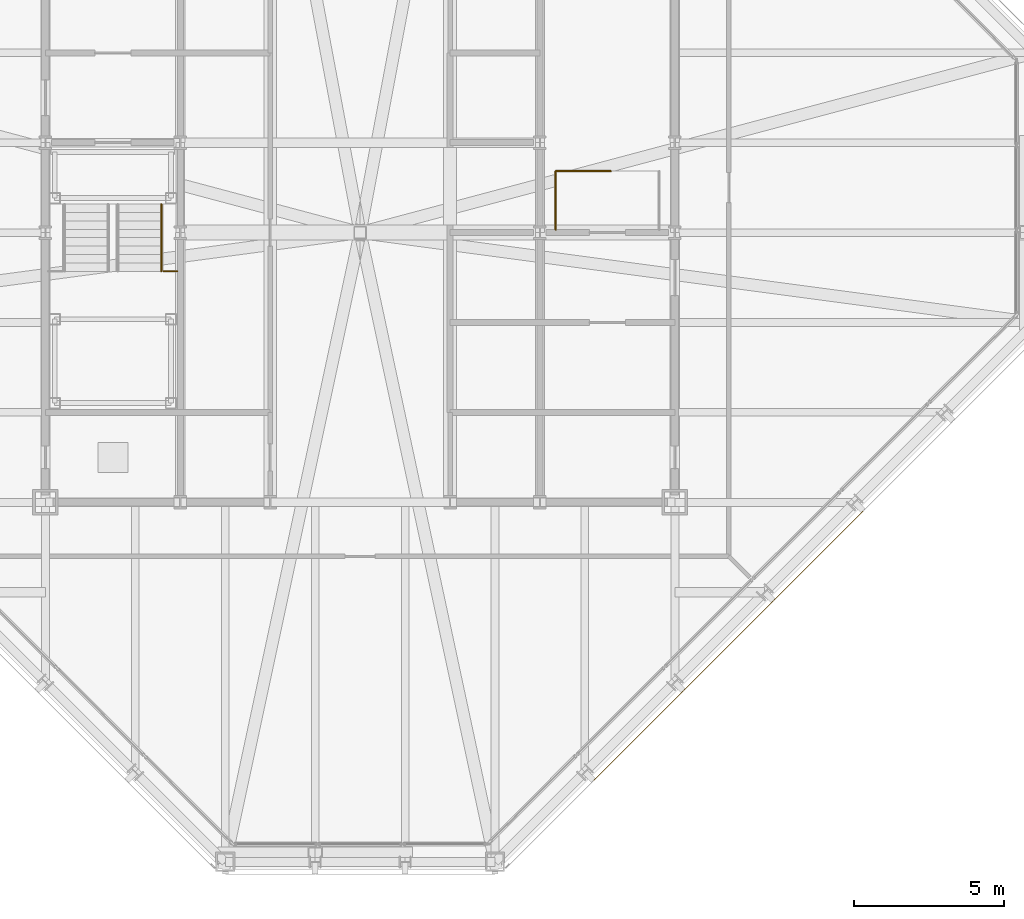
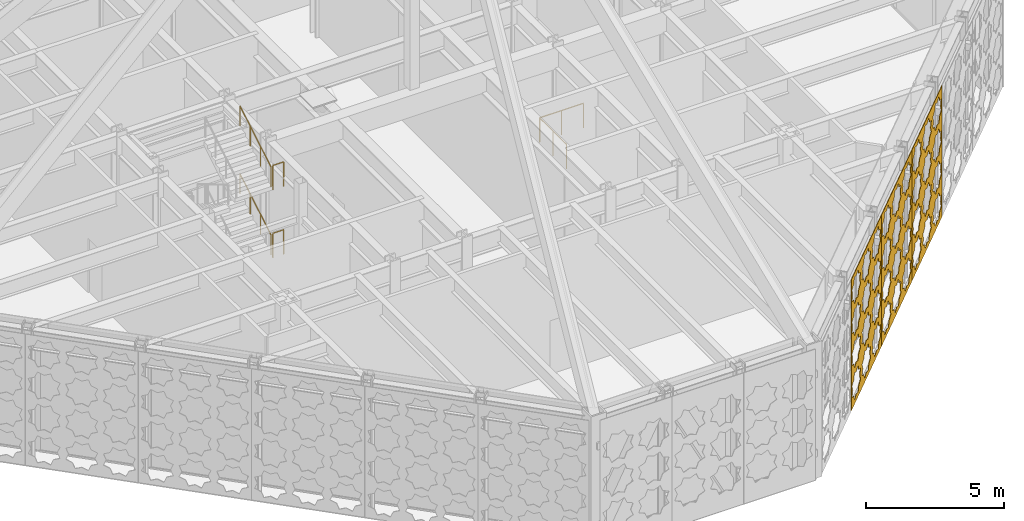
# One storey, part 25 of 30: 6 railings, 3 coverings.
"""IFC4 building model written with IfcOpenShell, lengths in metres."""

from ifc_helpers import new_model, si_unit, direction, frame, origin, origin_2d, place, context, subcontext, project, spatial, polyline, circle, outline, extrude, material, layer, layer_set, type_object, element, save


model = new_model("IFC4")

# Units and contexts
model_context = context("Model", 3, precision=1e-05, world=origin(), true_north=direction((0.0, 1.0)))
body_context = subcontext(model_context, "Body", "Model", "MODEL_VIEW")
ifc_project = project(units=[si_unit("LENGTHUNIT", "METRE"), si_unit("AREAUNIT", "SQUARE_METRE"), si_unit("VOLUMEUNIT", "CUBIC_METRE"), si_unit("PLANEANGLEUNIT", "RADIAN"), si_unit("MASSUNIT", "GRAM", prefix="KILO")], contexts=[model_context])

# Site, building, storey
site_placement = place(None, origin())
site = spatial("IfcSite", under=ifc_project, at=site_placement, CompositionType="ELEMENT")
building_placement = place(site_placement, origin())
building = spatial("IfcBuilding", under=site, at=building_placement, Name="Chuquiago Exchange Tower", CompositionType="ELEMENT")
storey_placement = place(building_placement, frame((0.0, 0.0, 306.0)))
storey = spatial("IfcBuildingStorey", under=building, at=storey_placement, Name="L68", CompositionType="ELEMENT", Elevation=306.0)

# Coverings
ifc_material_1 = material(Name="Anodised aluminium, pale", Category="aluminium")
ifc_layer = layer(ifc_material_1, 0.02001953125)
ifc_layer_set = layer_set([ifc_layer], Name="GC4 girih cladding panel 20")
covering_type = type_object("IfcCoveringType", Name="GC4 girih cladding panel 20", PredefinedType="CLADDING", material=ifc_layer_set)
covering_1_placement = place(storey_placement, frame((30.286376953125, 2.720703125, 0.0048828125), z_axis=(0.0, 0.0, 1.0), x_axis=(0.707106781187, 0.707106781187, 0.0)))
element("IfcCovering", 1, at=covering_1_placement, inside=storey, type_object=covering_type, Name="Girih cladding panel L68 SE 2", PredefinedType="CLADDING", context=body_context, shape_type="SweptSolid", body=[
    extrude(outline(polyline([(0.0, 0.0), (4.232666015625, 0.0), (4.232666015625, 5.795166015625), (0.0, 5.795166015625), (0.0, 0.0)]), holes=[polyline([(1.2021484375, 0.78125), (1.304931640625, 1.029541015625), (1.056640625, 1.132568359375), (0.953857421875, 1.380859375), (0.70556640625, 1.278076171875), (0.45703125, 1.380859375), (0.354248046875, 1.132568359375), (0.10595703125, 1.029541015625), (0.208740234375, 0.78125), (0.10595703125, 0.532958984375), (0.354248046875, 0.429931640625), (0.45703125, 0.181640625), (0.705322265625, 0.284423828125), (0.953857421875, 0.181640625), (1.056640625, 0.429931640625), (1.304931640625, 0.532958984375), (1.2021484375, 0.78125)]), polyline([(2.613037109375, 0.78125), (2.7158203125, 1.029541015625), (2.467529296875, 1.132568359375), (2.36474609375, 1.380859375), (2.116455078125, 1.278076171875), (1.867919921875, 1.380859375), (1.76513671875, 1.132568359375), (1.516845703125, 1.029541015625), (1.61962890625, 0.78125), (1.516845703125, 0.532958984375), (1.76513671875, 0.429931640625), (1.867919921875, 0.181640625), (2.116455078125, 0.284423828125), (2.36474609375, 0.181640625), (2.467529296875, 0.429931640625), (2.7158203125, 0.532958984375), (2.613037109375, 0.78125)]), polyline([(4.02392578125, 0.78125), (4.126708984375, 1.029541015625), (3.87841796875, 1.132568359375), (3.775634765625, 1.380859375), (3.527099609375, 1.278076171875), (3.27880859375, 1.380859375), (3.176025390625, 1.132568359375), (2.927734375, 1.029541015625), (3.030517578125, 0.78125), (2.927734375, 0.532958984375), (3.176025390625, 0.429931640625), (3.27880859375, 0.181640625), (3.527099609375, 0.284423828125), (3.775634765625, 0.181640625), (3.87841796875, 0.429931640625), (4.126708984375, 0.532958984375), (4.02392578125, 0.78125)]), polyline([(1.2021484375, 2.192138671875), (1.304931640625, 2.4404296875), (1.056640625, 2.54345703125), (0.953857421875, 2.791748046875), (0.70556640625, 2.68896484375), (0.45703125, 2.791748046875), (0.354248046875, 2.54345703125), (0.10595703125, 2.4404296875), (0.208740234375, 2.192138671875), (0.10595703125, 1.94384765625), (0.354248046875, 1.8408203125), (0.45703125, 1.592529296875), (0.705322265625, 1.6953125), (0.953857421875, 1.592529296875), (1.056640625, 1.8408203125), (1.304931640625, 1.94384765625), (1.2021484375, 2.192138671875)]), polyline([(2.613037109375, 2.192138671875), (2.7158203125, 2.4404296875), (2.467529296875, 2.54345703125), (2.36474609375, 2.791748046875), (2.116455078125, 2.68896484375), (1.867919921875, 2.791748046875), (1.76513671875, 2.54345703125), (1.516845703125, 2.4404296875), (1.61962890625, 2.192138671875), (1.516845703125, 1.94384765625), (1.76513671875, 1.8408203125), (1.867919921875, 1.592529296875), (2.116455078125, 1.6953125), (2.36474609375, 1.592529296875), (2.467529296875, 1.8408203125), (2.7158203125, 1.94384765625), (2.613037109375, 2.192138671875)]), polyline([(4.02392578125, 2.192138671875), (4.126708984375, 2.4404296875), (3.87841796875, 2.54345703125), (3.775634765625, 2.791748046875), (3.527099609375, 2.68896484375), (3.27880859375, 2.791748046875), (3.176025390625, 2.54345703125), (2.927734375, 2.4404296875), (3.030517578125, 2.192138671875), (2.927734375, 1.94384765625), (3.176025390625, 1.8408203125), (3.27880859375, 1.592529296875), (3.527099609375, 1.6953125), (3.775634765625, 1.592529296875), (3.87841796875, 1.8408203125), (4.126708984375, 1.94384765625), (4.02392578125, 2.192138671875)]), polyline([(1.2021484375, 3.60302734375), (1.304931640625, 3.851318359375), (1.056640625, 3.954345703125), (0.953857421875, 4.20263671875), (0.70556640625, 4.099853515625), (0.45703125, 4.20263671875), (0.354248046875, 3.954345703125), (0.10595703125, 3.851318359375), (0.208740234375, 3.60302734375), (0.10595703125, 3.354736328125), (0.354248046875, 3.251708984375), (0.45703125, 3.00341796875), (0.705322265625, 3.106201171875), (0.953857421875, 3.00341796875), (1.056640625, 3.251708984375), (1.304931640625, 3.354736328125), (1.2021484375, 3.60302734375)]), polyline([(2.613037109375, 3.60302734375), (2.7158203125, 3.851318359375), (2.467529296875, 3.954345703125), (2.36474609375, 4.20263671875), (2.116455078125, 4.099853515625), (1.867919921875, 4.20263671875), (1.76513671875, 3.954345703125), (1.516845703125, 3.851318359375), (1.61962890625, 3.60302734375), (1.516845703125, 3.354736328125), (1.76513671875, 3.251708984375), (1.867919921875, 3.00341796875), (2.116455078125, 3.106201171875), (2.36474609375, 3.00341796875), (2.467529296875, 3.251708984375), (2.7158203125, 3.354736328125), (2.613037109375, 3.60302734375)]), polyline([(4.02392578125, 3.60302734375), (4.126708984375, 3.851318359375), (3.87841796875, 3.954345703125), (3.775634765625, 4.20263671875), (3.527099609375, 4.099853515625), (3.27880859375, 4.20263671875), (3.176025390625, 3.954345703125), (2.927734375, 3.851318359375), (3.030517578125, 3.60302734375), (2.927734375, 3.354736328125), (3.176025390625, 3.251708984375), (3.27880859375, 3.00341796875), (3.527099609375, 3.106201171875), (3.775634765625, 3.00341796875), (3.87841796875, 3.251708984375), (4.126708984375, 3.354736328125), (4.02392578125, 3.60302734375)]), polyline([(1.2021484375, 5.013916015625), (1.304931640625, 5.26220703125), (1.056640625, 5.365234375), (0.953857421875, 5.613525390625), (0.70556640625, 5.5107421875), (0.45703125, 5.613525390625), (0.354248046875, 5.365234375), (0.10595703125, 5.26220703125), (0.208740234375, 5.013916015625), (0.10595703125, 4.765625), (0.354248046875, 4.66259765625), (0.45703125, 4.414306640625), (0.705322265625, 4.517333984375), (0.953857421875, 4.414306640625), (1.056640625, 4.66259765625), (1.304931640625, 4.765625), (1.2021484375, 5.013916015625)]), polyline([(2.613037109375, 5.013916015625), (2.7158203125, 5.26220703125), (2.467529296875, 5.365234375), (2.36474609375, 5.613525390625), (2.116455078125, 5.5107421875), (1.867919921875, 5.613525390625), (1.76513671875, 5.365234375), (1.516845703125, 5.26220703125), (1.61962890625, 5.013916015625), (1.516845703125, 4.765625), (1.76513671875, 4.66259765625), (1.867919921875, 4.414306640625), (2.116455078125, 4.517333984375), (2.36474609375, 4.414306640625), (2.467529296875, 4.66259765625), (2.7158203125, 4.765625), (2.613037109375, 5.013916015625)]), polyline([(4.02392578125, 5.013916015625), (4.126708984375, 5.26220703125), (3.87841796875, 5.365234375), (3.775634765625, 5.613525390625), (3.527099609375, 5.5107421875), (3.27880859375, 5.613525390625), (3.176025390625, 5.365234375), (2.927734375, 5.26220703125), (3.030517578125, 5.013916015625), (2.927734375, 4.765625), (3.176025390625, 4.66259765625), (3.27880859375, 4.414306640625), (3.527099609375, 4.517333984375), (3.775634765625, 4.414306640625), (3.87841796875, 4.66259765625), (4.126708984375, 4.765625), (4.02392578125, 5.013916015625)])]), frame((0.0, 0.0, 0.0), z_axis=(0.0, -1.0, 0.0), x_axis=(1.0, 0.0, 0.0)), (0.0, 0.0, 1.0), 0.02001953125),
])
covering_2_placement = place(storey_placement, frame((33.286376953125, 5.720703125, 0.0048828125), z_axis=(0.0, 0.0, 1.0), x_axis=(0.707106781187, 0.707106781187, 0.0)))
element("IfcCovering", 2, at=covering_2_placement, inside=storey, type_object=covering_type, Name="Girih cladding panel L68 SE 3", PredefinedType="CLADDING", context=body_context, shape_type="SweptSolid", body=[
    extrude(outline(polyline([(0.0, 0.0), (4.232666015625, 0.0), (4.232666015625, 5.795166015625), (0.0, 5.795166015625), (0.0, 0.0)]), holes=[polyline([(1.2021484375, 0.78125), (1.304931640625, 1.029541015625), (1.056640625, 1.132568359375), (0.953857421875, 1.380859375), (0.70556640625, 1.278076171875), (0.45703125, 1.380859375), (0.354248046875, 1.132568359375), (0.10595703125, 1.029541015625), (0.208740234375, 0.78125), (0.10595703125, 0.532958984375), (0.354248046875, 0.429931640625), (0.45703125, 0.181640625), (0.705322265625, 0.284423828125), (0.953857421875, 0.181640625), (1.056640625, 0.429931640625), (1.304931640625, 0.532958984375), (1.2021484375, 0.78125)]), polyline([(2.613037109375, 0.78125), (2.7158203125, 1.029541015625), (2.467529296875, 1.132568359375), (2.36474609375, 1.380859375), (2.116455078125, 1.278076171875), (1.867919921875, 1.380859375), (1.76513671875, 1.132568359375), (1.516845703125, 1.029541015625), (1.61962890625, 0.78125), (1.516845703125, 0.532958984375), (1.76513671875, 0.429931640625), (1.867919921875, 0.181640625), (2.116455078125, 0.284423828125), (2.36474609375, 0.181640625), (2.467529296875, 0.429931640625), (2.7158203125, 0.532958984375), (2.613037109375, 0.78125)]), polyline([(4.02392578125, 0.78125), (4.126708984375, 1.029541015625), (3.87841796875, 1.132568359375), (3.775634765625, 1.380859375), (3.527099609375, 1.278076171875), (3.27880859375, 1.380859375), (3.176025390625, 1.132568359375), (2.927734375, 1.029541015625), (3.030517578125, 0.78125), (2.927734375, 0.532958984375), (3.176025390625, 0.429931640625), (3.27880859375, 0.181640625), (3.527099609375, 0.284423828125), (3.775634765625, 0.181640625), (3.87841796875, 0.429931640625), (4.126708984375, 0.532958984375), (4.02392578125, 0.78125)]), polyline([(1.2021484375, 2.192138671875), (1.304931640625, 2.4404296875), (1.056640625, 2.54345703125), (0.953857421875, 2.791748046875), (0.70556640625, 2.68896484375), (0.45703125, 2.791748046875), (0.354248046875, 2.54345703125), (0.10595703125, 2.4404296875), (0.208740234375, 2.192138671875), (0.10595703125, 1.94384765625), (0.354248046875, 1.8408203125), (0.45703125, 1.592529296875), (0.705322265625, 1.6953125), (0.953857421875, 1.592529296875), (1.056640625, 1.8408203125), (1.304931640625, 1.94384765625), (1.2021484375, 2.192138671875)]), polyline([(2.613037109375, 2.192138671875), (2.7158203125, 2.4404296875), (2.467529296875, 2.54345703125), (2.36474609375, 2.791748046875), (2.116455078125, 2.68896484375), (1.867919921875, 2.791748046875), (1.76513671875, 2.54345703125), (1.516845703125, 2.4404296875), (1.61962890625, 2.192138671875), (1.516845703125, 1.94384765625), (1.76513671875, 1.8408203125), (1.867919921875, 1.592529296875), (2.116455078125, 1.6953125), (2.36474609375, 1.592529296875), (2.467529296875, 1.8408203125), (2.7158203125, 1.94384765625), (2.613037109375, 2.192138671875)]), polyline([(4.02392578125, 2.192138671875), (4.126708984375, 2.4404296875), (3.87841796875, 2.54345703125), (3.775634765625, 2.791748046875), (3.527099609375, 2.68896484375), (3.27880859375, 2.791748046875), (3.176025390625, 2.54345703125), (2.927734375, 2.4404296875), (3.030517578125, 2.192138671875), (2.927734375, 1.94384765625), (3.176025390625, 1.8408203125), (3.27880859375, 1.592529296875), (3.527099609375, 1.6953125), (3.775634765625, 1.592529296875), (3.87841796875, 1.8408203125), (4.126708984375, 1.94384765625), (4.02392578125, 2.192138671875)]), polyline([(1.2021484375, 3.60302734375), (1.304931640625, 3.851318359375), (1.056640625, 3.954345703125), (0.953857421875, 4.20263671875), (0.70556640625, 4.099853515625), (0.45703125, 4.20263671875), (0.354248046875, 3.954345703125), (0.10595703125, 3.851318359375), (0.208740234375, 3.60302734375), (0.10595703125, 3.354736328125), (0.354248046875, 3.251708984375), (0.45703125, 3.00341796875), (0.705322265625, 3.106201171875), (0.953857421875, 3.00341796875), (1.056640625, 3.251708984375), (1.304931640625, 3.354736328125), (1.2021484375, 3.60302734375)]), polyline([(2.613037109375, 3.60302734375), (2.7158203125, 3.851318359375), (2.467529296875, 3.954345703125), (2.36474609375, 4.20263671875), (2.116455078125, 4.099853515625), (1.867919921875, 4.20263671875), (1.76513671875, 3.954345703125), (1.516845703125, 3.851318359375), (1.61962890625, 3.60302734375), (1.516845703125, 3.354736328125), (1.76513671875, 3.251708984375), (1.867919921875, 3.00341796875), (2.116455078125, 3.106201171875), (2.36474609375, 3.00341796875), (2.467529296875, 3.251708984375), (2.7158203125, 3.354736328125), (2.613037109375, 3.60302734375)]), polyline([(4.02392578125, 3.60302734375), (4.126708984375, 3.851318359375), (3.87841796875, 3.954345703125), (3.775634765625, 4.20263671875), (3.527099609375, 4.099853515625), (3.27880859375, 4.20263671875), (3.176025390625, 3.954345703125), (2.927734375, 3.851318359375), (3.030517578125, 3.60302734375), (2.927734375, 3.354736328125), (3.176025390625, 3.251708984375), (3.27880859375, 3.00341796875), (3.527099609375, 3.106201171875), (3.775634765625, 3.00341796875), (3.87841796875, 3.251708984375), (4.126708984375, 3.354736328125), (4.02392578125, 3.60302734375)]), polyline([(1.2021484375, 5.013916015625), (1.304931640625, 5.26220703125), (1.056640625, 5.365234375), (0.953857421875, 5.613525390625), (0.70556640625, 5.5107421875), (0.45703125, 5.613525390625), (0.354248046875, 5.365234375), (0.10595703125, 5.26220703125), (0.208740234375, 5.013916015625), (0.10595703125, 4.765625), (0.354248046875, 4.66259765625), (0.45703125, 4.414306640625), (0.705322265625, 4.517333984375), (0.953857421875, 4.414306640625), (1.056640625, 4.66259765625), (1.304931640625, 4.765625), (1.2021484375, 5.013916015625)]), polyline([(2.613037109375, 5.013916015625), (2.7158203125, 5.26220703125), (2.467529296875, 5.365234375), (2.36474609375, 5.613525390625), (2.116455078125, 5.5107421875), (1.867919921875, 5.613525390625), (1.76513671875, 5.365234375), (1.516845703125, 5.26220703125), (1.61962890625, 5.013916015625), (1.516845703125, 4.765625), (1.76513671875, 4.66259765625), (1.867919921875, 4.414306640625), (2.116455078125, 4.517333984375), (2.36474609375, 4.414306640625), (2.467529296875, 4.66259765625), (2.7158203125, 4.765625), (2.613037109375, 5.013916015625)]), polyline([(4.02392578125, 5.013916015625), (4.126708984375, 5.26220703125), (3.87841796875, 5.365234375), (3.775634765625, 5.613525390625), (3.527099609375, 5.5107421875), (3.27880859375, 5.613525390625), (3.176025390625, 5.365234375), (2.927734375, 5.26220703125), (3.030517578125, 5.013916015625), (2.927734375, 4.765625), (3.176025390625, 4.66259765625), (3.27880859375, 4.414306640625), (3.527099609375, 4.517333984375), (3.775634765625, 4.414306640625), (3.87841796875, 4.66259765625), (4.126708984375, 4.765625), (4.02392578125, 5.013916015625)])]), frame((0.0, 0.0, 0.0), z_axis=(0.0, -1.0, 0.0), x_axis=(1.0, 0.0, 0.0)), (0.0, 0.0, 1.0), 0.02001953125),
])
covering_3_placement = place(storey_placement, frame((36.286376953125, 8.720703125, 0.0048828125), z_axis=(0.0, 0.0, 1.0), x_axis=(0.707106781187, 0.707106781187, 0.0)))
element("IfcCovering", 3, at=covering_3_placement, inside=storey, type_object=covering_type, Name="Girih cladding panel L68 SE 4", PredefinedType="CLADDING", context=body_context, shape_type="SweptSolid", body=[
    extrude(outline(polyline([(0.0, 0.0), (4.232666015625, 0.0), (4.232666015625, 5.795166015625), (0.0, 5.795166015625), (0.0, 0.0)]), holes=[polyline([(1.2021484375, 0.78125), (1.304931640625, 1.029541015625), (1.056640625, 1.132568359375), (0.953857421875, 1.380859375), (0.70556640625, 1.278076171875), (0.45703125, 1.380859375), (0.354248046875, 1.132568359375), (0.10595703125, 1.029541015625), (0.208740234375, 0.78125), (0.10595703125, 0.532958984375), (0.354248046875, 0.429931640625), (0.45703125, 0.181640625), (0.705322265625, 0.284423828125), (0.953857421875, 0.181640625), (1.056640625, 0.429931640625), (1.304931640625, 0.532958984375), (1.2021484375, 0.78125)]), polyline([(2.613037109375, 0.78125), (2.7158203125, 1.029541015625), (2.467529296875, 1.132568359375), (2.36474609375, 1.380859375), (2.116455078125, 1.278076171875), (1.867919921875, 1.380859375), (1.76513671875, 1.132568359375), (1.516845703125, 1.029541015625), (1.61962890625, 0.78125), (1.516845703125, 0.532958984375), (1.76513671875, 0.429931640625), (1.867919921875, 0.181640625), (2.116455078125, 0.284423828125), (2.36474609375, 0.181640625), (2.467529296875, 0.429931640625), (2.7158203125, 0.532958984375), (2.613037109375, 0.78125)]), polyline([(4.02392578125, 0.78125), (4.126708984375, 1.029541015625), (3.87841796875, 1.132568359375), (3.775634765625, 1.380859375), (3.527099609375, 1.278076171875), (3.27880859375, 1.380859375), (3.176025390625, 1.132568359375), (2.927734375, 1.029541015625), (3.030517578125, 0.78125), (2.927734375, 0.532958984375), (3.176025390625, 0.429931640625), (3.27880859375, 0.181640625), (3.527099609375, 0.284423828125), (3.775634765625, 0.181640625), (3.87841796875, 0.429931640625), (4.126708984375, 0.532958984375), (4.02392578125, 0.78125)]), polyline([(1.2021484375, 2.192138671875), (1.304931640625, 2.4404296875), (1.056640625, 2.54345703125), (0.953857421875, 2.791748046875), (0.70556640625, 2.68896484375), (0.45703125, 2.791748046875), (0.354248046875, 2.54345703125), (0.10595703125, 2.4404296875), (0.208740234375, 2.192138671875), (0.10595703125, 1.94384765625), (0.354248046875, 1.8408203125), (0.45703125, 1.592529296875), (0.705322265625, 1.6953125), (0.953857421875, 1.592529296875), (1.056640625, 1.8408203125), (1.304931640625, 1.94384765625), (1.2021484375, 2.192138671875)]), polyline([(2.613037109375, 2.192138671875), (2.7158203125, 2.4404296875), (2.467529296875, 2.54345703125), (2.36474609375, 2.791748046875), (2.116455078125, 2.68896484375), (1.867919921875, 2.791748046875), (1.76513671875, 2.54345703125), (1.516845703125, 2.4404296875), (1.61962890625, 2.192138671875), (1.516845703125, 1.94384765625), (1.76513671875, 1.8408203125), (1.867919921875, 1.592529296875), (2.116455078125, 1.6953125), (2.36474609375, 1.592529296875), (2.467529296875, 1.8408203125), (2.7158203125, 1.94384765625), (2.613037109375, 2.192138671875)]), polyline([(4.02392578125, 2.192138671875), (4.126708984375, 2.4404296875), (3.87841796875, 2.54345703125), (3.775634765625, 2.791748046875), (3.527099609375, 2.68896484375), (3.27880859375, 2.791748046875), (3.176025390625, 2.54345703125), (2.927734375, 2.4404296875), (3.030517578125, 2.192138671875), (2.927734375, 1.94384765625), (3.176025390625, 1.8408203125), (3.27880859375, 1.592529296875), (3.527099609375, 1.6953125), (3.775634765625, 1.592529296875), (3.87841796875, 1.8408203125), (4.126708984375, 1.94384765625), (4.02392578125, 2.192138671875)]), polyline([(1.2021484375, 3.60302734375), (1.304931640625, 3.851318359375), (1.056640625, 3.954345703125), (0.953857421875, 4.20263671875), (0.70556640625, 4.099853515625), (0.45703125, 4.20263671875), (0.354248046875, 3.954345703125), (0.10595703125, 3.851318359375), (0.208740234375, 3.60302734375), (0.10595703125, 3.354736328125), (0.354248046875, 3.251708984375), (0.45703125, 3.00341796875), (0.705322265625, 3.106201171875), (0.953857421875, 3.00341796875), (1.056640625, 3.251708984375), (1.304931640625, 3.354736328125), (1.2021484375, 3.60302734375)]), polyline([(2.613037109375, 3.60302734375), (2.7158203125, 3.851318359375), (2.467529296875, 3.954345703125), (2.36474609375, 4.20263671875), (2.116455078125, 4.099853515625), (1.867919921875, 4.20263671875), (1.76513671875, 3.954345703125), (1.516845703125, 3.851318359375), (1.61962890625, 3.60302734375), (1.516845703125, 3.354736328125), (1.76513671875, 3.251708984375), (1.867919921875, 3.00341796875), (2.116455078125, 3.106201171875), (2.36474609375, 3.00341796875), (2.467529296875, 3.251708984375), (2.7158203125, 3.354736328125), (2.613037109375, 3.60302734375)]), polyline([(4.02392578125, 3.60302734375), (4.126708984375, 3.851318359375), (3.87841796875, 3.954345703125), (3.775634765625, 4.20263671875), (3.527099609375, 4.099853515625), (3.27880859375, 4.20263671875), (3.176025390625, 3.954345703125), (2.927734375, 3.851318359375), (3.030517578125, 3.60302734375), (2.927734375, 3.354736328125), (3.176025390625, 3.251708984375), (3.27880859375, 3.00341796875), (3.527099609375, 3.106201171875), (3.775634765625, 3.00341796875), (3.87841796875, 3.251708984375), (4.126708984375, 3.354736328125), (4.02392578125, 3.60302734375)]), polyline([(1.2021484375, 5.013916015625), (1.304931640625, 5.26220703125), (1.056640625, 5.365234375), (0.953857421875, 5.613525390625), (0.70556640625, 5.5107421875), (0.45703125, 5.613525390625), (0.354248046875, 5.365234375), (0.10595703125, 5.26220703125), (0.208740234375, 5.013916015625), (0.10595703125, 4.765625), (0.354248046875, 4.66259765625), (0.45703125, 4.414306640625), (0.705322265625, 4.517333984375), (0.953857421875, 4.414306640625), (1.056640625, 4.66259765625), (1.304931640625, 4.765625), (1.2021484375, 5.013916015625)]), polyline([(2.613037109375, 5.013916015625), (2.7158203125, 5.26220703125), (2.467529296875, 5.365234375), (2.36474609375, 5.613525390625), (2.116455078125, 5.5107421875), (1.867919921875, 5.613525390625), (1.76513671875, 5.365234375), (1.516845703125, 5.26220703125), (1.61962890625, 5.013916015625), (1.516845703125, 4.765625), (1.76513671875, 4.66259765625), (1.867919921875, 4.414306640625), (2.116455078125, 4.517333984375), (2.36474609375, 4.414306640625), (2.467529296875, 4.66259765625), (2.7158203125, 4.765625), (2.613037109375, 5.013916015625)]), polyline([(4.02392578125, 5.013916015625), (4.126708984375, 5.26220703125), (3.87841796875, 5.365234375), (3.775634765625, 5.613525390625), (3.527099609375, 5.5107421875), (3.27880859375, 5.613525390625), (3.176025390625, 5.365234375), (2.927734375, 5.26220703125), (3.030517578125, 5.013916015625), (2.927734375, 4.765625), (3.176025390625, 4.66259765625), (3.27880859375, 4.414306640625), (3.527099609375, 4.517333984375), (3.775634765625, 4.414306640625), (3.87841796875, 4.66259765625), (4.126708984375, 4.765625), (4.02392578125, 5.013916015625)])]), frame((0.0, 0.0, 0.0), z_axis=(0.0, -1.0, 0.0), x_axis=(1.0, 0.0, 0.0)), (0.0, 0.0, 1.0), 0.02001953125),
])

# Railings
ifc_material_2 = material(Name="Pale metal guard with safety glass infill", Category="glass")
railing_type_1 = type_object("IfcRailingType", Name="GR1 guard 1100", PredefinedType="GUARDRAIL", material=ifc_material_2)
for number, where, name in (
    (4, (15.945068359375, 19.7099609375, 1.5), "Guard ST1 L68 landing 2"),
    (5, (15.945068359375, 19.7099609375, 4.5), "Guard ST1 L68 landing 4"),
):
    element("IfcRailing", number, at=place(storey_placement, frame(where)), inside=storey, type_object=railing_type_1, Name=name, PredefinedType="GUARDRAIL", context=body_context, shape_type="SweptSolid", body=[
        extrude(circle(Radius=0.02392578125, at=origin_2d()), frame((0.0, 0.0, 1.076171875), z_axis=(1.0, 0.0, 0.0), x_axis=(0.0, 1.0, 0.0)), (0.0, 0.0, 1.0), 0.454833984375),
        extrude(circle(Radius=0.02099609375, at=origin_2d()), origin(), (0.0, 0.0, 1.0), 1.052001953125),
        extrude(circle(Radius=0.02099609375, at=origin_2d()), frame((0.454833984375, 0.0, 0.0)), (0.0, 0.0, 1.0), 1.052001953125),
    ])
railing_1_placement = place(storey_placement, frame((29.02490234375, 23.050048828125, 0.0)))
element("IfcRailing", 6, at=railing_1_placement, inside=storey, type_object=railing_type_1, Name="Guard ST2 top landing L68", PredefinedType="GUARDRAIL", context=body_context, shape_type="SweptSolid", body=[
    extrude(circle(Radius=0.02392578125, at=origin_2d()), frame((0.0, 0.0, 1.076171875), z_axis=(1.0, 0.0, 0.0), x_axis=(0.0, 1.0, 0.0)), (0.0, 0.0, 1.0), 1.830078125),
    extrude(circle(Radius=0.02099609375, at=origin_2d()), origin(), (0.0, 0.0, 1.0), 1.052001953125),
    extrude(circle(Radius=0.02099609375, at=origin_2d()), frame((0.9150390625, 0.0, 0.0)), (0.0, 0.0, 1.0), 1.052001953125),
    extrude(circle(Radius=0.02099609375, at=origin_2d()), frame((1.830078125, 0.0, 0.0)), (0.0, 0.0, 1.0), 1.052001953125),
])
railing_2_placement = place(storey_placement, frame((29.02490234375, 21.10009765625, 0.0)))
element("IfcRailing", 7, at=railing_2_placement, inside=storey, type_object=railing_type_1, Name="Guard ST2 top landing L68 west side", PredefinedType="GUARDRAIL", context=body_context, shape_type="SweptSolid", body=[
    extrude(circle(Radius=0.02392578125, at=origin_2d()), frame((0.0, 0.0, 1.076171875), z_axis=(0.0, 1.0, 0.0), x_axis=(-1.0, 0.0, 0.0)), (0.0, 0.0, 1.0), 1.949951171875),
    extrude(circle(Radius=0.02099609375, at=origin_2d()), origin(), (0.0, 0.0, 1.0), 1.052001953125),
    extrude(circle(Radius=0.02099609375, at=origin_2d()), frame((0.0, 0.97509765625, 0.0)), (0.0, 0.0, 1.0), 1.052001953125),
    extrude(circle(Radius=0.02099609375, at=origin_2d()), frame((0.0, 1.949951171875, 0.0)), (0.0, 0.0, 1.0), 1.052001953125),
])
ifc_material_3 = material(Name="Pale metal handrail", Category="steel")
railing_type_2 = type_object("IfcRailingType", Name="HR1 handrail 900", PredefinedType="HANDRAIL", material=ifc_material_3)
for number, where, name in (
    (8, (15.864990234375, 19.7099609375, 1.666748046875), "Handrail ST1 L68 flight 2"),
    (9, (15.864990234375, 19.7099609375, 4.666748046875), "Handrail ST1 L68 flight 4"),
):
    element("IfcRailing", number, at=place(storey_placement, frame(where)), inside=storey, type_object=railing_type_2, Name=name, PredefinedType="HANDRAIL", context=body_context, shape_type="SweptSolid", body=[
        extrude(circle(Radius=0.02392578125, at=origin_2d()), frame((0.0, 0.0, 0.8759765625), z_axis=(0.0, 0.859305625298, 0.511462454469), x_axis=(-1.0, 0.0, 0.0)), (0.0, 0.0, 1.0), 2.606689453125),
        extrude(circle(Radius=0.02099609375, at=origin_2d()), origin(), (0.0, 0.0, 1.0), 0.851806640625),
        extrude(circle(Radius=0.02099609375, at=origin_2d()), frame((0.0, 0.74658203125, 0.4443359375)), (0.0, 0.0, 1.0), 0.851806640625),
        extrude(circle(Radius=0.02099609375, at=origin_2d()), frame((0.0, 1.493408203125, 0.888916015625)), (0.0, 0.0, 1.0), 0.851806640625),
        extrude(circle(Radius=0.02099609375, at=origin_2d()), frame((0.0, 2.239990234375, 1.333251953125)), (0.0, 0.0, 1.0), 0.851806640625),
    ])

save(model, "model.ifc")
